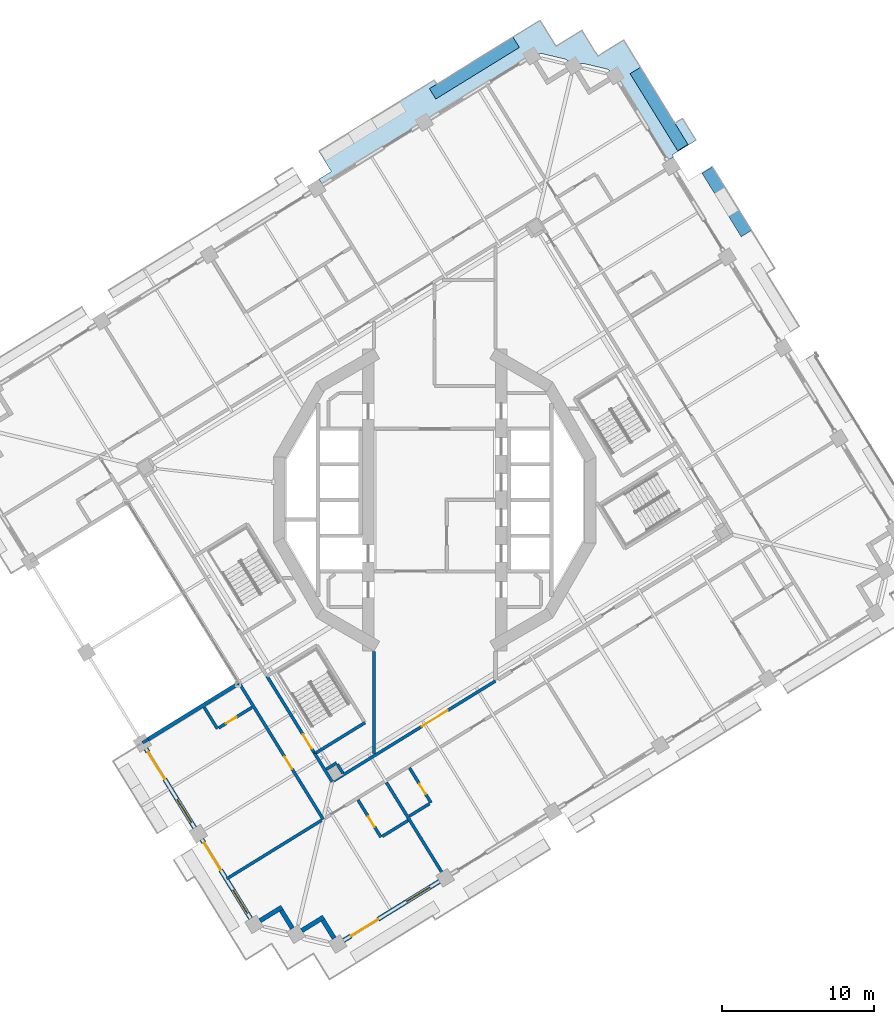
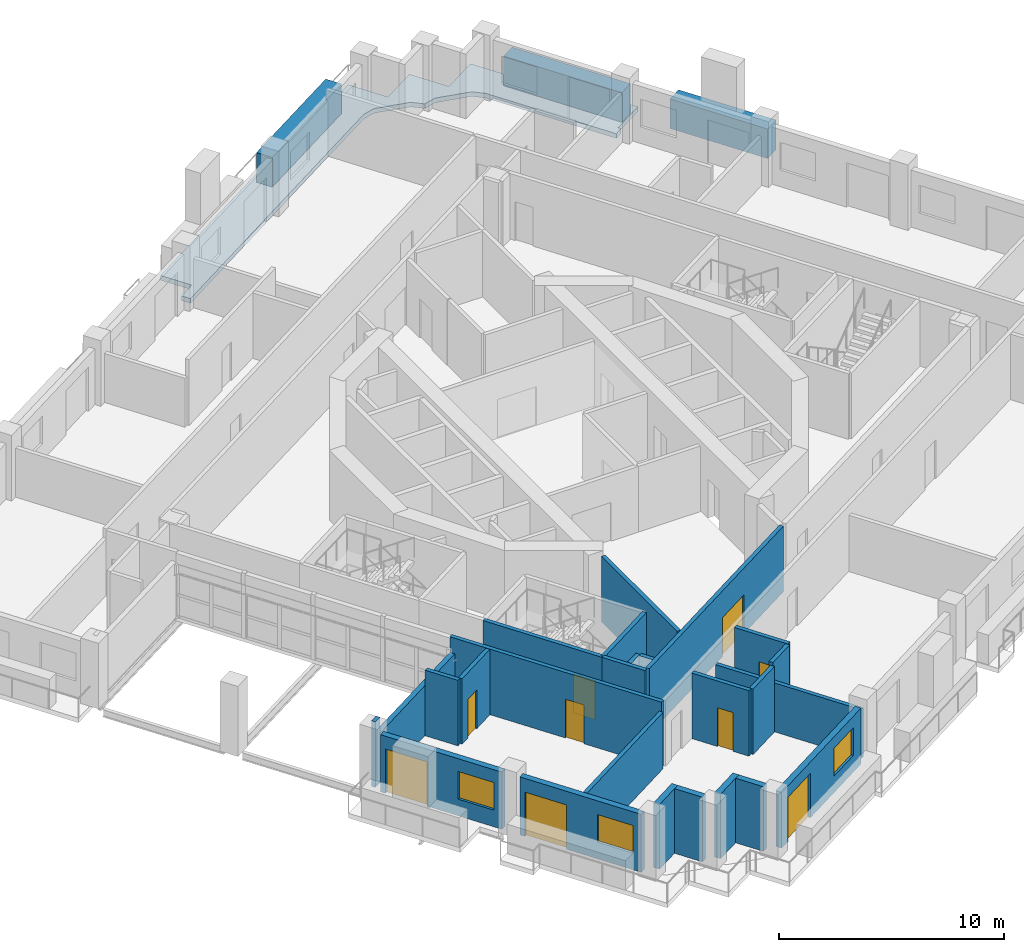
# One storey, part 5 of 20: 25 walls, 9 doors, 3 plates, 3 windows, 1 slab, 12 openings.
"""IFC4 building model written with IfcOpenShell, lengths in metres."""

from ifc_helpers import new_model, si_unit, direction, frame, frame_2d, origin, origin_2d, place, context, subcontext, project, spatial, polyline, rectangle, outline, extrude, material, layer, layer_set, type_object, element, fill, save


model = new_model("IFC4")

# Units and contexts
model_context = context("Model", 3, precision=1e-05, world=origin(), true_north=direction((0.0, 1.0)))
body_context = subcontext(model_context, "Body", "Model", "MODEL_VIEW")
ifc_project = project(units=[si_unit("LENGTHUNIT", "METRE"), si_unit("AREAUNIT", "SQUARE_METRE"), si_unit("VOLUMEUNIT", "CUBIC_METRE"), si_unit("PLANEANGLEUNIT", "RADIAN"), si_unit("MASSUNIT", "GRAM", prefix="KILO")], contexts=[model_context])

# Site, building, storey
site_placement = place(None, origin())
site = spatial("IfcSite", under=ifc_project, at=site_placement, CompositionType="ELEMENT")
building_placement = place(site_placement, origin())
building = spatial("IfcBuilding", under=site, at=building_placement, Name="Cantera Rosa Tower", CompositionType="ELEMENT")
storey_placement = place(building_placement, frame((0.0, 0.0, 155.199951171875)))
storey = spatial("IfcBuildingStorey", under=building, at=storey_placement, Name="L33", CompositionType="ELEMENT", Elevation=155.199951171875)

# Slab
ifc_material_1 = material(Name="Concrete C35/45", Category="concrete")
ifc_layer_1 = layer(ifc_material_1, 0.25)
ifc_layer_set_1 = layer_set([ifc_layer_1], Name="LOGGIA SLAB 250 C35/45")
slab_type = type_object("IfcSlabType", Name="LOGGIA SLAB 250 C35/45", PredefinedType="FLOOR", material=ifc_layer_set_1)
slab_placement = place(storey_placement, frame((0.0, 0.0, -0.25)))
element("IfcSlab", 1, at=slab_placement, inside=storey, type_object=slab_type, Name="LOGGIA SLAB L33 5", PredefinedType="FLOOR", context=body_context, shape_type="SweptSolid", body=[
    extrude(outline(polyline([(5.49755859375, 30.7080078125), (6.9443359375, 31.600341796875), (7.8369140625, 30.153564453125), (7.994384765625, 29.898193359375), (8.249755859375, 30.0556640625), (9.696533203125, 30.9482421875), (10.589111328125, 29.501220703125), (10.74658203125, 29.245849609375), (11.001953125, 29.4033203125), (12.44873046875, 30.2958984375), (13.34130859375, 28.84912109375), (15.823486328125, 24.82470703125), (16.3271484375, 25.135498046875), (17.21533203125, 23.695556640625), (15.647705078125, 22.728515625), (15.7265625, 22.600830078125), (15.343505859375, 22.36474609375), (11.894287109375, 27.95654296875), (11.4736328125, 28.328125), (11.45068359375, 28.346435546875), (11.426025390625, 28.362548828125), (11.39990234375, 28.376220703125), (11.37255859375, 28.386962890625), (11.34423828125, 28.395263671875), (9.83056640625, 28.75390625), (9.801513671875, 28.75927734375), (9.772216796875, 28.76171875), (9.742919921875, 28.761474609375), (9.713623046875, 28.75830078125), (9.684814453125, 28.752197265625), (9.14208984375, 28.60888671875), (8.721435546875, 28.98046875), (8.698486328125, 28.998779296875), (8.673828125, 29.014892578125), (8.647705078125, 29.0283203125), (8.620361328125, 29.039306640625), (8.592041015625, 29.047607421875), (7.078369140625, 29.40625), (7.049560546875, 29.41162109375), (7.02001953125, 29.4140625), (6.99072265625, 29.413818359375), (6.96142578125, 29.410400390625), (6.9326171875, 29.404296875), (6.389892578125, 29.260986328125), (-7.3896484375, 20.76171875), (-7.625732421875, 21.144775390625), (-6.8173828125, 21.643310546875), (-7.6416015625, 22.97998046875), (-0.032470703125, 27.67333984375), (0.1357421875, 27.40087890625), (5.49755859375, 30.7080078125)])), origin(), (0.0, 0.0, 1.0), 0.25),
])

# Plates
ifc_material_2 = material(Name="Cantera stone planter with soil", Category="masonry")
plate_type = type_object("IfcPlateType", Name="PLANTER 800", PredefinedType="USERDEFINED", material=ifc_material_2)
plate_1_placement = place(storey_placement, frame((19.24267578125, 19.64697265625, 0.0), z_axis=(0.0, 0.0, 1.0), x_axis=(-0.52497658034, 0.851116672434, 0.0)))
element("IfcPlate", 2, at=plate_1_placement, inside=storey, type_object=plate_type, Name="PLANTER L33-04", ObjectType="PLANTER", PredefinedType="USERDEFINED", context=body_context, shape_type="SweptSolid", body=[
    extrude(rectangle(XDim=4.919921875, YDim=0.800048828125, at=origin_2d()), origin(), (0.0, 0.0, 1.0), 1.60009765625),
])
plate_2_placement = place(storey_placement, frame((14.77783203125, 25.758056640625, 0.0), z_axis=(0.0, 0.0, 1.0), x_axis=(-0.52497658034, 0.851116672434, 0.0)))
element("IfcPlate", 3, at=plate_2_placement, inside=storey, type_object=plate_type, Name="PLANTER L33-05", ObjectType="PLANTER", PredefinedType="USERDEFINED", context=body_context, shape_type="SweptSolid", body=[
    extrude(rectangle(XDim=5.969970703125, YDim=0.800048828125, at=origin_2d()), origin(), (0.0, 0.0, 1.0), 1.60009765625),
])
plate_3_placement = place(storey_placement, frame((2.61376953125, 28.459228515625, 0.0), z_axis=(0.0, 0.0, 1.0), x_axis=(-0.851116672434, -0.52497658034, 0.0)))
element("IfcPlate", 4, at=plate_3_placement, inside=storey, type_object=plate_type, Name="PLANTER L33-06", ObjectType="PLANTER", PredefinedType="USERDEFINED", context=body_context, shape_type="SweptSolid", body=[
    extrude(rectangle(XDim=6.469970703125, YDim=0.800048828125, at=origin_2d()), origin(), (0.0, 0.0, 1.0), 1.60009765625),
])

# Wall, opening, door
ifc_material_3 = material(Name="Gypsum board partition")
ifc_layer_2 = layer(ifc_material_3, 0.199951171875)
ifc_layer_set_2 = layer_set([ifc_layer_2], Name="CORRIDOR WALL 200 H3550")
wall_type_1 = type_object("IfcWallType", Name="CORRIDOR WALL 200 H3550", PredefinedType="PARTITIONING", material=ifc_layer_set_2)
wall_1_placement = place(storey_placement, frame((-12.947265625, -11.963134765625, 0.0), z_axis=(0.0, 0.0, 1.0), x_axis=(0.524977152999, -0.851116319212, 0.0)))
wall_1 = element("IfcWall", 5, at=wall_1_placement, inside=storey, type_object=wall_type_1, Name="CORRIDOR WALL L33-008", PredefinedType="PARTITIONING", context=body_context, shape_type="SweptSolid", body=[
    extrude(rectangle(XDim=10.6650390625, YDim=0.199951171875, at=frame_2d((5.33251953125, 0.0))), origin(), (0.0, 0.0, 1.0), 3.550048828125),
])
opening_1_placement = place(wall_1_placement, frame((5.820068359375, 0.0, 0.0)))
opening_1 = element("IfcOpeningElement", 6, at=opening_1_placement, cuts=wall_1, Name="Opening L33-032", PredefinedType="OPENING", context=body_context, shape_type="SweptSolid", body=[
    extrude(rectangle(XDim=0.949951171875, YDim=2.10009765625, at=frame_2d((0.47509765625, 1.050048828125))), frame((0.0, 0.10986328125, 0.0), z_axis=(0.0, -1.0, 0.0), x_axis=(1.0, 0.0, 0.0)), (0.0, 0.0, 1.0), 0.219970703125),
])
ifc_material_4 = material(Name="Timber door leaf", Category="wood")
door_type_1 = type_object("IfcDoorType", Name="ROOM DOOR 950x2100", OperationType="NOTDEFINED", PredefinedType="DOOR", material=ifc_material_4)
door_1_placement = place(opening_1_placement, origin())
door_1 = element("IfcDoor", 7, at=door_1_placement, inside=storey, type_object=door_type_1, Name="DOOR L33-032", OperationType="NOTDEFINED", OverallHeight=2.10009765625, OverallWidth=0.949951171875, PredefinedType="DOOR", context=body_context, shape_type="SweptSolid", body=[
    extrude(rectangle(XDim=0.949951171875, YDim=2.10009765625, at=frame_2d((0.47509765625, 1.050048828125))), frame((0.0, 0.02490234375, 0.0), z_axis=(0.0, -1.0, 0.0), x_axis=(1.0, 0.0, 0.0)), (0.0, 0.0, 1.0), 0.050048828125),
])
fill(opening_1, door_1)

# Wall
wall_2_placement = place(storey_placement, frame((-7.9033203125, -16.7119140625, 0.0), z_axis=(0.0, 0.0, 1.0), x_axis=(0.525036414636, -0.851079763187, 0.0)))
element("IfcWall", 8, at=wall_2_placement, inside=storey, type_object=wall_type_1, Name="CORRIDOR WALL L33-028", PredefinedType="PARTITIONING", context=body_context, shape_type="SweptSolid", body=[
    extrude(rectangle(XDim=2.17529296875, YDim=0.199951171875, at=frame_2d((1.087646484375, 0.0))), origin(), (0.0, 0.0, 1.0), 3.550048828125),
])

# Wall, opening, door
wall_3_placement = place(storey_placement, frame((-6.6591796875, -18.500244140625, 0.0), z_axis=(0.0, 0.0, 1.0), x_axis=(0.851115705413, 0.524978148116, 0.0)))
wall_3 = element("IfcWall", 9, at=wall_3_placement, inside=storey, type_object=wall_type_1, Name="CORRIDOR WALL L33-041", PredefinedType="PARTITIONING", context=body_context, shape_type="SweptSolid", body=[
    extrude(rectangle(XDim=12.523681640625, YDim=0.199951171875, at=frame_2d((6.26171875, 0.0))), origin(), (0.0, 0.0, 1.0), 3.550048828125),
])
opening_2_placement = place(wall_3_placement, frame((6.82421875, 0.0, 0.0)))
opening_2 = element("IfcOpeningElement", 10, at=opening_2_placement, cuts=wall_3, Name="Opening L33-011", PredefinedType="OPENING", context=body_context, shape_type="SweptSolid", body=[
    extrude(rectangle(XDim=2.0, YDim=2.10009765625, at=frame_2d((1.0, 1.050048828125))), frame((0.0, 0.10986328125, 0.0), z_axis=(0.0, -1.0, 0.0), x_axis=(1.0, 0.0, 0.0)), (0.0, 0.0, 1.0), 0.219970703125),
])
ifc_material_5 = material(Name="Steel S355J2 (EN 10025-2)", Category="steel")
door_type_2 = type_object("IfcDoorType", Name="LOBBY SCREEN DOOR 2000x2100", OperationType="NOTDEFINED", PredefinedType="DOOR", material=ifc_material_5)
door_2_placement = place(opening_2_placement, origin())
door_2 = element("IfcDoor", 11, at=door_2_placement, inside=storey, type_object=door_type_2, Name="DOOR L33-011", OperationType="NOTDEFINED", OverallHeight=2.10009765625, OverallWidth=2.0, PredefinedType="DOOR", context=body_context, shape_type="SweptSolid", body=[
    extrude(rectangle(XDim=2.0, YDim=2.10009765625, at=frame_2d((1.0, 1.050048828125))), frame((0.0, 0.02490234375, 0.0), z_axis=(0.0, -1.0, 0.0), x_axis=(1.0, 0.0, 0.0)), (0.0, 0.0, 1.0), 0.050048828125),
])
fill(opening_2, door_2)

# Walls
wall_4_placement = place(storey_placement, frame((-4.0, -9.994140625, 0.0), z_axis=(0.0, 0.0, 1.0), x_axis=(0.0, -1.0, 0.0)))
element("IfcWall", 12, at=wall_4_placement, inside=storey, type_object=wall_type_1, Name="CORRIDOR WALL L33-052", PredefinedType="PARTITIONING", context=body_context, shape_type="SweptSolid", body=[
    extrude(rectangle(XDim=6.7060546875, YDim=0.199951171875, at=frame_2d((3.35302734375, 0.0))), origin(), (0.0, 0.0, 1.0), 3.550048828125),
])
ifc_material_6 = material(Name="Hollow clay masonry with cantera stone cladding", Category="masonry")
ifc_layer_3 = layer(ifc_material_6, 0.300048828125)
ifc_layer_set_3 = layer_set([ifc_layer_3], Name="EW-LOGGIA 300")
wall_type_2 = type_object("IfcWallType", Name="EW-LOGGIA 300", PredefinedType="SOLIDWALL", material=ifc_layer_set_3)
wall_5_placement = place(storey_placement, frame((-11.51123046875, -27.72021484375, 0.0), z_axis=(0.0, 0.0, 1.0), x_axis=(0.851130227454, 0.524954603669, 0.0)))
element("IfcWall", 13, at=wall_5_placement, inside=storey, type_object=wall_type_2, Name="EN-L33-W20a", PredefinedType="SOLIDWALL", context=body_context, shape_type="SweptSolid", body=[
    extrude(rectangle(XDim=1.699951171875, YDim=0.300048828125, at=frame_2d((0.85009765625, 0.0))), origin(), (0.0, 0.0, 1.0), 3.5),
])
wall_6_placement = place(storey_placement, frame((-10.11328125, -27.0341796875, 0.0), z_axis=(0.0, 0.0, 1.0), x_axis=(0.524895019961, -0.85116697423, 0.0)))
element("IfcWall", 14, at=wall_6_placement, inside=storey, type_object=wall_type_2, Name="EN-L33-W20b", PredefinedType="SOLIDWALL", context=body_context, shape_type="SweptSolid", body=[
    extrude(rectangle(XDim=1.39990234375, YDim=0.300048828125, at=frame_2d((0.699951171875, 0.0))), origin(), (0.0, 0.0, 1.0), 3.5),
])
wall_7_placement = place(storey_placement, frame((-8.75927734375, -28.37255859375, 0.0), z_axis=(0.0, 0.0, 1.0), x_axis=(0.851105638601, 0.524994468487, 0.0)))
element("IfcWall", 15, at=wall_7_placement, inside=storey, type_object=wall_type_2, Name="EN-L33-W21a", PredefinedType="SOLIDWALL", context=body_context, shape_type="SweptSolid", body=[
    extrude(rectangle(XDim=1.7001953125, YDim=0.300048828125, at=frame_2d((0.85009765625, 0.0))), origin(), (0.0, 0.0, 1.0), 3.5),
])
wall_8_placement = place(storey_placement, frame((-7.361083984375, -27.6865234375, 0.0), z_axis=(0.0, 0.0, 1.0), x_axis=(0.524895019961, -0.85116697423, 0.0)))
element("IfcWall", 16, at=wall_8_placement, inside=storey, type_object=wall_type_2, Name="EN-L33-W21b", PredefinedType="SOLIDWALL", context=body_context, shape_type="SweptSolid", body=[
    extrude(rectangle(XDim=1.39990234375, YDim=0.300048828125, at=frame_2d((0.699951171875, 0.0))), origin(), (0.0, 0.0, 1.0), 3.5),
])

# Wall, openings, window, door
ifc_material_7 = material(Name="Hollow clay masonry with cantera stone cladding", Category="masonry")
ifc_layer_4 = layer(ifc_material_7, 0.300048828125)
ifc_layer_set_4 = layer_set([ifc_layer_4], Name="EW-LOGGIA 300 H3020")
wall_type_3 = type_object("IfcWallType", Name="EW-LOGGIA 300 H3020", PredefinedType="SOLIDWALL", material=ifc_layer_set_4)
wall_9_placement = place(storey_placement, frame((-6.007080078125, -29.02490234375, 0.0), z_axis=(0.0, 0.0, 1.0), x_axis=(0.851111085575, 0.524985637909, 0.0)))
wall_9 = element("IfcWall", 17, at=wall_9_placement, inside=storey, type_object=wall_type_3, Name="EN-L33-W22", PredefinedType="SOLIDWALL", context=body_context, shape_type="SweptSolid", body=[
    extrude(rectangle(XDim=7.420166015625, YDim=0.300048828125, at=frame_2d((3.7099609375, 0.0))), origin(), (0.0, 0.0, 1.0), 3.02001953125),
])
opening_3_placement = place(wall_9_placement, frame((0.580078125, 0.0, 0.0)))
opening_3 = element("IfcOpeningElement", 18, at=opening_3_placement, cuts=wall_9, Name="Opening L33-TD27", PredefinedType="OPENING", context=body_context, shape_type="SweptSolid", body=[
    extrude(rectangle(XDim=2.10009765625, YDim=2.39990234375, at=frame_2d((1.050048828125, 1.199951171875))), frame((0.0, 0.159912109375, 0.0), z_axis=(0.0, -1.0, 0.0), x_axis=(1.0, 0.0, 0.0)), (0.0, 0.0, 1.0), 0.320068359375),
])
opening_4_placement = place(wall_9_placement, frame((4.889892578125, 0.0, 0.89990234375)))
opening_4 = element("IfcOpeningElement", 19, at=opening_4_placement, cuts=wall_9, Name="Opening L33-W28", PredefinedType="OPENING", context=body_context, shape_type="SweptSolid", body=[
    extrude(rectangle(XDim=1.800048828125, YDim=1.5, at=frame_2d((0.89990234375, 0.75))), frame((0.0, 0.159912109375, 0.0), z_axis=(0.0, -1.0, 0.0), x_axis=(1.0, 0.0, 0.0)), (0.0, 0.0, 1.0), 0.320068359375),
])
ifc_material_8 = material(Name="Aluminium frame with clear glass", Category="aluminium")
window_type = type_object("IfcWindowType", Name="Hotel room window 1800x1500", PartitioningType="DOUBLE_PANEL_VERTICAL", PredefinedType="WINDOW", material=ifc_material_8)
window_1_placement = place(opening_4_placement, origin())
window_1 = element("IfcWindow", 20, at=window_1_placement, inside=storey, type_object=window_type, Name="WINDOW L33-W28", OverallHeight=1.5, OverallWidth=1.800048828125, PartitioningType="SINGLE_PANEL", PredefinedType="WINDOW", context=body_context, shape_type="SweptSolid", body=[
    extrude(rectangle(XDim=1.800048828125, YDim=1.5, at=frame_2d((0.89990234375, 0.75))), frame((0.0, 0.030029296875, 0.0), z_axis=(0.0, -1.0, 0.0), x_axis=(1.0, 0.0, 0.0)), (0.0, 0.0, 1.0), 0.06005859375),
])
fill(opening_4, window_1)
ifc_material_9 = material(Name="Aluminium frame with clear glass", Category="aluminium")
door_type_3 = type_object("IfcDoorType", Name="TD-H 2100x2400", OperationType="NOTDEFINED", PredefinedType="DOOR", material=ifc_material_9)
door_3_placement = place(opening_3_placement, origin())
door_3 = element("IfcDoor", 21, at=door_3_placement, inside=storey, type_object=door_type_3, Name="LOGGIA DOOR L33-TD27", OperationType="SLIDING_TO_LEFT", OverallHeight=2.39990234375, OverallWidth=2.10009765625, PredefinedType="DOOR", context=body_context, shape_type="SweptSolid", body=[
    extrude(rectangle(XDim=2.10009765625, YDim=2.39990234375, at=frame_2d((1.050048828125, 1.199951171875))), frame((0.0, 0.02490234375, 0.0), z_axis=(0.0, -1.0, 0.0), x_axis=(1.0, 0.0, 0.0)), (0.0, 0.0, 1.0), 0.050048828125),
])
fill(opening_3, door_3)

ifc_material_10 = material(Name="Hollow clay masonry with cantera stone cladding", Category="masonry")
ifc_layer_5 = layer(ifc_material_10, 0.300048828125)
ifc_layer_set_5 = layer_set([ifc_layer_5], Name="EW-LOGGIA 300 H3090")
wall_type_4 = type_object("IfcWallType", Name="EW-LOGGIA 300 H3090", PredefinedType="SOLIDWALL", material=ifc_layer_set_5)
wall_10_placement = place(storey_placement, frame((-19.02880859375, -16.389892578125, 0.0), z_axis=(0.0, 0.0, 1.0), x_axis=(0.524987447654, -0.851109969279, 0.0)))
wall_10 = element("IfcWall", 22, at=wall_10_placement, inside=storey, type_object=wall_type_4, Name="EN-L33-W18", PredefinedType="SOLIDWALL", context=body_context, shape_type="SweptSolid", body=[
    extrude(rectangle(XDim=6.119873046875, YDim=0.300048828125, at=frame_2d((3.06005859375, 0.0))), origin(), (0.0, 0.0, 1.0), 3.090087890625),
])
opening_5_placement = place(wall_10_placement, frame((0.2548828125, 0.0, 0.0)))
opening_5 = element("IfcOpeningElement", 23, at=opening_5_placement, cuts=wall_10, Name="Opening L33-TD23", PredefinedType="OPENING", context=body_context, shape_type="SweptSolid", body=[
    extrude(rectangle(XDim=2.10009765625, YDim=2.39990234375, at=frame_2d((1.050048828125, 1.199951171875))), frame((0.0, 0.159912109375, 0.0), z_axis=(0.0, -1.0, 0.0), x_axis=(1.0, 0.0, 0.0)), (0.0, 0.0, 1.0), 0.320068359375),
])
opening_6_placement = place(wall_10_placement, frame((3.9150390625, 0.0, 0.89990234375)))
opening_6 = element("IfcOpeningElement", 24, at=opening_6_placement, cuts=wall_10, Name="Opening L33-W24", PredefinedType="OPENING", context=body_context, shape_type="SweptSolid", body=[
    extrude(rectangle(XDim=1.800048828125, YDim=1.5, at=frame_2d((0.89990234375, 0.75))), frame((0.0, 0.159912109375, 0.0), z_axis=(0.0, -1.0, 0.0), x_axis=(1.0, 0.0, 0.0)), (0.0, 0.0, 1.0), 0.320068359375),
])
window_2_placement = place(opening_6_placement, origin())
window_2 = element("IfcWindow", 25, at=window_2_placement, inside=storey, type_object=window_type, Name="WINDOW L33-W24", OverallHeight=1.5, OverallWidth=1.800048828125, PartitioningType="SINGLE_PANEL", PredefinedType="WINDOW", context=body_context, shape_type="SweptSolid", body=[
    extrude(rectangle(XDim=1.800048828125, YDim=1.5, at=frame_2d((0.89990234375, 0.75))), frame((0.0, 0.030029296875, 0.0), z_axis=(0.0, -1.0, 0.0), x_axis=(1.0, 0.0, 0.0)), (0.0, 0.0, 1.0), 0.06005859375),
])
fill(opening_6, window_2)
door_4_placement = place(opening_5_placement, origin())
door_4 = element("IfcDoor", 26, at=door_4_placement, inside=storey, type_object=door_type_3, Name="LOGGIA DOOR L33-TD23", OperationType="SLIDING_TO_LEFT", OverallHeight=2.39990234375, OverallWidth=2.10009765625, PredefinedType="DOOR", context=body_context, shape_type="SweptSolid", body=[
    extrude(rectangle(XDim=2.10009765625, YDim=2.39990234375, at=frame_2d((1.050048828125, 1.199951171875))), frame((0.0, 0.02490234375, 0.0), z_axis=(0.0, -1.0, 0.0), x_axis=(1.0, 0.0, 0.0)), (0.0, 0.0, 1.0), 0.050048828125),
])
fill(opening_5, door_4)

ifc_material_11 = material(Name="Hollow clay masonry with cantera stone cladding", Category="masonry")
ifc_layer_6 = layer(ifc_material_11, 0.300048828125)
ifc_layer_set_6 = layer_set([ifc_layer_6], Name="EW-LOGGIA 300 H3140")
wall_type_5 = type_object("IfcWallType", Name="EW-LOGGIA 300 H3140", PredefinedType="SOLIDWALL", material=ifc_layer_set_6)
wall_11_placement = place(storey_placement, frame((-15.343505859375, -22.36474609375, 0.0), z_axis=(0.0, 0.0, 1.0), x_axis=(0.524987447654, -0.851109969279, 0.0)))
wall_11 = element("IfcWall", 27, at=wall_11_placement, inside=storey, type_object=wall_type_5, Name="EN-L33-W19", PredefinedType="SOLIDWALL", context=body_context, shape_type="SweptSolid", body=[
    extrude(rectangle(XDim=6.119873046875, YDim=0.300048828125, at=frame_2d((3.06005859375, 0.0))), origin(), (0.0, 0.0, 1.0), 3.14013671875),
])
opening_7_placement = place(wall_11_placement, frame((0.2548828125, 0.0, 0.0)))
opening_7 = element("IfcOpeningElement", 28, at=opening_7_placement, cuts=wall_11, Name="Opening L33-TD25", PredefinedType="OPENING", context=body_context, shape_type="SweptSolid", body=[
    extrude(rectangle(XDim=2.10009765625, YDim=2.39990234375, at=frame_2d((1.050048828125, 1.199951171875))), frame((0.0, 0.159912109375, 0.0), z_axis=(0.0, -1.0, 0.0), x_axis=(1.0, 0.0, 0.0)), (0.0, 0.0, 1.0), 0.320068359375),
])
opening_8_placement = place(wall_11_placement, frame((3.9150390625, 0.0, 0.89990234375)))
opening_8 = element("IfcOpeningElement", 29, at=opening_8_placement, cuts=wall_11, Name="Opening L33-W26", PredefinedType="OPENING", context=body_context, shape_type="SweptSolid", body=[
    extrude(rectangle(XDim=1.800048828125, YDim=1.5, at=frame_2d((0.89990234375, 0.75))), frame((0.0, 0.159912109375, 0.0), z_axis=(0.0, -1.0, 0.0), x_axis=(1.0, 0.0, 0.0)), (0.0, 0.0, 1.0), 0.320068359375),
])
window_3_placement = place(opening_8_placement, origin())
window_3 = element("IfcWindow", 30, at=window_3_placement, inside=storey, type_object=window_type, Name="WINDOW L33-W26", OverallHeight=1.5, OverallWidth=1.800048828125, PartitioningType="SINGLE_PANEL", PredefinedType="WINDOW", context=body_context, shape_type="SweptSolid", body=[
    extrude(rectangle(XDim=1.800048828125, YDim=1.5, at=frame_2d((0.89990234375, 0.75))), frame((0.0, 0.030029296875, 0.0), z_axis=(0.0, -1.0, 0.0), x_axis=(1.0, 0.0, 0.0)), (0.0, 0.0, 1.0), 0.06005859375),
])
fill(opening_8, window_3)
door_5_placement = place(opening_7_placement, origin())
door_5 = element("IfcDoor", 31, at=door_5_placement, inside=storey, type_object=door_type_3, Name="LOGGIA DOOR L33-TD25", OperationType="SLIDING_TO_LEFT", OverallHeight=2.39990234375, OverallWidth=2.10009765625, PredefinedType="DOOR", context=body_context, shape_type="SweptSolid", body=[
    extrude(rectangle(XDim=2.10009765625, YDim=2.39990234375, at=frame_2d((1.050048828125, 1.199951171875))), frame((0.0, 0.02490234375, 0.0), z_axis=(0.0, -1.0, 0.0), x_axis=(1.0, 0.0, 0.0)), (0.0, 0.0, 1.0), 0.050048828125),
])
fill(opening_7, door_5)

# Walls
ifc_material_12 = material(Name="Concrete C40/50", Category="concrete")
ifc_layer_7 = layer(ifc_material_12, 0.25)
ifc_layer_set_7 = layer_set([ifc_layer_7], Name="EW-POCKET CHEEK 250 H2710")
wall_type_6 = type_object("IfcWallType", Name="EW-POCKET CHEEK 250 H2710", PredefinedType="SOLIDWALL", material=ifc_layer_set_7)
wall_12_placement = place(storey_placement, frame((-18.882080078125, -15.7705078125, 0.0), z_axis=(0.0, 0.0, 1.0), x_axis=(0.851127184208, 0.524959537777, 0.0)))
element("IfcWall", 32, at=wall_12_placement, inside=storey, type_object=wall_type_6, Name="POCKET CHEEK B L33", PredefinedType="SOLIDWALL", context=body_context, shape_type="SweptSolid", body=[
    extrude(rectangle(XDim=6.949951171875, YDim=0.25, at=frame_2d((3.47509765625, 0.0))), origin(), (0.0, 0.0, 1.0), 2.7099609375),
])
ifc_material_13 = material(Name="Gypsum board partition")
ifc_layer_8 = layer(ifc_material_13, 0.199951171875)
ifc_layer_set_8 = layer_set([ifc_layer_8], Name="PARTITION 200 H3550")
wall_type_7 = type_object("IfcWallType", Name="PARTITION 200 H3550", PredefinedType="PARTITIONING", material=ifc_layer_set_8)
wall_13_placement = place(storey_placement, frame((-19.239501953125, -15.9912109375, 0.0), z_axis=(0.0, 0.0, 1.0), x_axis=(0.85085913097, 0.525393889615, 0.0)))
element("IfcWall", 33, at=wall_13_placement, inside=storey, type_object=wall_type_7, Name="PARTITION L33-012", PredefinedType="PARTITIONING", context=body_context, shape_type="SweptSolid", body=[
    extrude(rectangle(XDim=0.420166015625, YDim=0.199951171875, at=frame_2d((0.2099609375, 0.0))), origin(), (0.0, 0.0, 1.0), 3.550048828125),
])
wall_14_placement = place(storey_placement, frame((-14.31982421875, -15.071533203125, 0.0), z_axis=(0.0, 0.0, 1.0), x_axis=(-0.524915259782, 0.851154492468, 0.0)))
element("IfcWall", 34, at=wall_14_placement, inside=storey, type_object=wall_type_7, Name="PARTITION L33-017", PredefinedType="PARTITIONING", context=body_context, shape_type="SweptSolid", body=[
    extrude(rectangle(XDim=1.6650390625, YDim=0.199951171875, at=frame_2d((0.83251953125, 0.0))), origin(), (0.0, 0.0, 1.0), 3.550048828125),
])

# Wall, opening, door
wall_15_placement = place(storey_placement, frame((-12.038818359375, -13.66455078125, 0.0), z_axis=(0.0, 0.0, 1.0), x_axis=(-0.851098989685, -0.525005247362, 0.0)))
wall_15 = element("IfcWall", 35, at=wall_15_placement, inside=storey, type_object=wall_type_7, Name="PARTITION L33-023", PredefinedType="PARTITIONING", context=body_context, shape_type="SweptSolid", body=[
    extrude(rectangle(XDim=2.580078125, YDim=0.199951171875, at=frame_2d((1.2900390625, 0.0))), origin(), (0.0, 0.0, 1.0), 3.550048828125),
])
opening_9_placement = place(wall_15_placement, frame((1.216064453125, 0.0, 0.0)))
opening_9 = element("IfcOpeningElement", 36, at=opening_9_placement, cuts=wall_15, Name="Opening L33-033", PredefinedType="OPENING", context=body_context, shape_type="SweptSolid", body=[
    extrude(rectangle(XDim=0.800048828125, YDim=2.10009765625, at=frame_2d((0.39990234375, 1.050048828125))), frame((0.0, 0.10986328125, 0.0), z_axis=(0.0, -1.0, 0.0), x_axis=(1.0, 0.0, 0.0)), (0.0, 0.0, 1.0), 0.219970703125),
])
ifc_material_14 = material(Name="Timber door leaf", Category="wood")
door_type_4 = type_object("IfcDoorType", Name="BATHROOM DOOR 800x2100", OperationType="NOTDEFINED", PredefinedType="DOOR", material=ifc_material_14)
door_6_placement = place(opening_9_placement, origin())
door_6 = element("IfcDoor", 37, at=door_6_placement, inside=storey, type_object=door_type_4, Name="DOOR L33-033", OperationType="NOTDEFINED", OverallHeight=2.10009765625, OverallWidth=0.800048828125, PredefinedType="DOOR", context=body_context, shape_type="SweptSolid", body=[
    extrude(rectangle(XDim=0.800048828125, YDim=2.10009765625, at=frame_2d((0.39990234375, 1.050048828125))), frame((0.0, 0.02490234375, 0.0), z_axis=(0.0, -1.0, 0.0), x_axis=(1.0, 0.0, 0.0)), (0.0, 0.0, 1.0), 0.050048828125),
])
fill(opening_9, door_6)

# Walls
wall_16_placement = place(storey_placement, frame((-6.4677734375, -17.32470703125, 0.0), z_axis=(0.0, 0.0, 1.0), x_axis=(-0.85101860469, -0.525135539144, 0.0)))
element("IfcWall", 38, at=wall_16_placement, inside=storey, type_object=wall_type_7, Name="PARTITION L33-042", PredefinedType="PARTITIONING", context=body_context, shape_type="SweptSolid", body=[
    extrude(rectangle(XDim=0.800048828125, YDim=0.199951171875, at=frame_2d((0.39990234375, 0.0))), origin(), (0.0, 0.0, 1.0), 3.550048828125),
])
wall_17_placement = place(storey_placement, frame((-6.0478515625, -18.005615234375, 0.0), z_axis=(0.0, 0.0, 1.0), x_axis=(-0.525018782991, 0.851090640006, 0.0)))
element("IfcWall", 39, at=wall_17_placement, inside=storey, type_object=wall_type_7, Name="PARTITION L33-044", PredefinedType="PARTITIONING", context=body_context, shape_type="SweptSolid", body=[
    extrude(rectangle(XDim=0.679931640625, YDim=0.199951171875, at=frame_2d((0.33984375, 0.0))), origin(), (0.0, 0.0, 1.0), 3.550048828125),
])

# Wall, opening, door
wall_18_placement = place(storey_placement, frame((-3.54345703125, -22.21826171875, 0.0), z_axis=(0.0, 0.0, 1.0), x_axis=(-0.524991059862, 0.851107741162, 0.0)))
wall_18 = element("IfcWall", 40, at=wall_18_placement, inside=storey, type_object=wall_type_7, Name="PARTITION L33-056", PredefinedType="PARTITIONING", context=body_context, shape_type="SweptSolid", body=[
    extrude(rectangle(XDim=2.8798828125, YDim=0.199951171875, at=frame_2d((1.43994140625, 0.0))), origin(), (0.0, 0.0, 1.0), 3.550048828125),
])
opening_10_placement = place(wall_18_placement, frame((0.800048828125, 0.0, 0.0)))
opening_10 = element("IfcOpeningElement", 41, at=opening_10_placement, cuts=wall_18, Name="Opening L33-040", PredefinedType="OPENING", context=body_context, shape_type="SweptSolid", body=[
    extrude(rectangle(XDim=0.800048828125, YDim=2.10009765625, at=frame_2d((0.39990234375, 1.050048828125))), frame((0.0, 0.10986328125, 0.0), z_axis=(0.0, -1.0, 0.0), x_axis=(1.0, 0.0, 0.0)), (0.0, 0.0, 1.0), 0.219970703125),
])
door_7_placement = place(opening_10_placement, origin())
door_7 = element("IfcDoor", 42, at=door_7_placement, inside=storey, type_object=door_type_4, Name="DOOR L33-040", OperationType="NOTDEFINED", OverallHeight=2.10009765625, OverallWidth=0.800048828125, PredefinedType="DOOR", context=body_context, shape_type="SweptSolid", body=[
    extrude(rectangle(XDim=0.800048828125, YDim=2.10009765625, at=frame_2d((0.39990234375, 1.050048828125))), frame((0.0, 0.02490234375, 0.0), z_axis=(0.0, -1.0, 0.0), x_axis=(1.0, 0.0, 0.0)), (0.0, 0.0, 1.0), 0.050048828125),
])
fill(opening_10, door_7)

wall_19_placement = place(storey_placement, frame((-1.66162109375, -17.650146484375, 0.0), z_axis=(0.0, 0.0, 1.0), x_axis=(0.525015355941, -0.851092754068, 0.0)))
wall_19 = element("IfcWall", 43, at=wall_19_placement, inside=storey, type_object=wall_type_7, Name="PARTITION L33-057", PredefinedType="PARTITIONING", context=body_context, shape_type="SweptSolid", body=[
    extrude(rectangle(XDim=2.699951171875, YDim=0.199951171875, at=frame_2d((1.35009765625, 0.0))), origin(), (0.0, 0.0, 1.0), 3.550048828125),
])
opening_11_placement = place(wall_19_placement, frame((1.236083984375, 0.0, 0.0)))
opening_11 = element("IfcOpeningElement", 44, at=opening_11_placement, cuts=wall_19, Name="Opening L33-038", PredefinedType="OPENING", context=body_context, shape_type="SweptSolid", body=[
    extrude(rectangle(XDim=0.800048828125, YDim=2.10009765625, at=frame_2d((0.39990234375, 1.050048828125))), frame((0.0, 0.10986328125, 0.0), z_axis=(0.0, -1.0, 0.0), x_axis=(1.0, 0.0, 0.0)), (0.0, 0.0, 1.0), 0.219970703125),
])
door_8_placement = place(opening_11_placement, origin())
door_8 = element("IfcDoor", 45, at=door_8_placement, inside=storey, type_object=door_type_4, Name="DOOR L33-038", OperationType="NOTDEFINED", OverallHeight=2.10009765625, OverallWidth=0.800048828125, PredefinedType="DOOR", context=body_context, shape_type="SweptSolid", body=[
    extrude(rectangle(XDim=0.800048828125, YDim=2.10009765625, at=frame_2d((0.39990234375, 1.050048828125))), frame((0.0, 0.02490234375, 0.0), z_axis=(0.0, -1.0, 0.0), x_axis=(1.0, 0.0, 0.0)), (0.0, 0.0, 1.0), 0.050048828125),
])
fill(opening_11, door_8)

# Walls
wall_20_placement = place(storey_placement, frame((-1.756103515625, -21.11572265625, 0.0), z_axis=(0.0, 0.0, 1.0), x_axis=(-0.851117241868, -0.524975657145, 0.0)))
element("IfcWall", 46, at=wall_20_placement, inside=storey, type_object=wall_type_7, Name="PARTITION L33-058", PredefinedType="PARTITIONING", context=body_context, shape_type="SweptSolid", body=[
    extrude(rectangle(XDim=2.000244140625, YDim=0.199951171875, at=frame_2d((1.0, 0.0))), origin(), (0.0, 0.0, 1.0), 3.550048828125),
])
wall_21_placement = place(storey_placement, frame((-0.34619140625, -20.010986328125, 0.0), z_axis=(0.0, 0.0, 1.0), x_axis=(-0.851061308795, -0.525066327879, 0.0)))
element("IfcWall", 47, at=wall_21_placement, inside=storey, type_object=wall_type_7, Name="PARTITION L33-059", PredefinedType="PARTITIONING", context=body_context, shape_type="SweptSolid", body=[
    extrude(rectangle(XDim=1.56005859375, YDim=0.199951171875, at=frame_2d((0.780029296875, 0.0))), origin(), (0.0, 0.0, 1.0), 3.550048828125),
])
ifc_material_15 = material(Name="Gypsum board partition")
ifc_layer_9 = layer(ifc_material_15, 0.199951171875)
ifc_layer_set_9 = layer_set([ifc_layer_9], Name="PARTY WALL 200 H2650")
wall_type_8 = type_object("IfcWallType", Name="PARTY WALL 200 H2650", PredefinedType="PARTITIONING", material=ifc_layer_set_9)
wall_22_placement = place(storey_placement, frame((0.675537109375, -24.86767578125, 0.0), z_axis=(0.0, 0.0, 1.0), x_axis=(-0.52498856982, 0.851109277096, 0.0)))
element("IfcWall", 48, at=wall_22_placement, inside=storey, type_object=wall_type_8, Name="PARTY WALL L33-063", PredefinedType="PARTITIONING", context=body_context, shape_type="SweptSolid", body=[
    extrude(rectangle(XDim=7.349853515625, YDim=0.199951171875, at=frame_2d((3.6748046875, 0.0))), origin(), (0.0, 0.0, 1.0), 2.650146484375),
])
ifc_material_16 = material(Name="Gypsum board partition")
ifc_layer_10 = layer(ifc_material_16, 0.199951171875)
ifc_layer_set_10 = layer_set([ifc_layer_10], Name="PARTY WALL 200 H3050")
wall_type_9 = type_object("IfcWallType", Name="PARTY WALL 200 H3050", PredefinedType="PARTITIONING", material=ifc_layer_set_10)
wall_23_placement = place(storey_placement, frame((-13.706298828125, -24.9619140625, 0.0), z_axis=(0.0, 0.0, 1.0), x_axis=(0.851118431638, 0.524973728225, 0.0)))
element("IfcWall", 49, at=wall_23_placement, inside=storey, type_object=wall_type_9, Name="PARTY WALL L33-018", PredefinedType="PARTITIONING", context=body_context, shape_type="SweptSolid", body=[
    extrude(rectangle(XDim=7.35009765625, YDim=0.199951171875, at=frame_2d((3.675048828125, 0.0))), origin(), (0.0, 0.0, 1.0), 3.050048828125),
])

# Wall, opening, door
ifc_material_17 = material(Name="Concrete C50/60", Category="concrete")
ifc_layer_11 = layer(ifc_material_17, 0.199951171875)
ifc_layer_set_11 = layer_set([ifc_layer_11], Name="STAIR WALL 200 H3550")
wall_type_10 = type_object("IfcWallType", Name="STAIR WALL 200 H3550", PredefinedType="SOLIDWALL", material=ifc_layer_set_11)
wall_24_placement = place(storey_placement, frame((-11.05322265625, -11.605224609375, 0.0), z_axis=(0.0, 0.0, 1.0), x_axis=(0.524982543144, -0.851112994493, 0.0)))
wall_24 = element("IfcWall", 50, at=wall_24_placement, inside=storey, type_object=wall_type_10, Name="STAIR WALL L33-024", PredefinedType="SOLIDWALL", context=body_context, shape_type="SweptSolid", body=[
    extrude(rectangle(XDim=6.0, YDim=0.199951171875, at=frame_2d((3.0, 0.0))), origin(), (0.0, 0.0, 1.0), 3.550048828125),
])
opening_12_placement = place(wall_24_placement, frame((4.52490234375, 0.0, 0.0)))
opening_12 = element("IfcOpeningElement", 51, at=opening_12_placement, cuts=wall_24, Name="Opening L33-003", PredefinedType="OPENING", context=body_context, shape_type="SweptSolid", body=[
    extrude(rectangle(XDim=1.10009765625, YDim=2.10009765625, at=frame_2d((0.550048828125, 1.050048828125))), frame((0.0, 0.10986328125, 0.0), z_axis=(0.0, -1.0, 0.0), x_axis=(1.0, 0.0, 0.0)), (0.0, 0.0, 1.0), 0.219970703125),
])
ifc_material_18 = material(Name="Steel S355J2 (EN 10025-2)", Category="steel")
door_type_5 = type_object("IfcDoorType", Name="STAIR DOOR 1100x2100", OperationType="NOTDEFINED", PredefinedType="DOOR", material=ifc_material_18)
door_9_placement = place(opening_12_placement, origin())
door_9 = element("IfcDoor", 52, at=door_9_placement, inside=storey, type_object=door_type_5, Name="DOOR L33-003", OperationType="NOTDEFINED", OverallHeight=2.10009765625, OverallWidth=1.10009765625, PredefinedType="DOOR", context=body_context, shape_type="SweptSolid", body=[
    extrude(rectangle(XDim=1.10009765625, YDim=2.10009765625, at=frame_2d((0.550048828125, 1.050048828125))), frame((0.0, 0.02490234375, 0.0), z_axis=(0.0, -1.0, 0.0), x_axis=(1.0, 0.0, 0.0)), (0.0, 0.0, 1.0), 0.050048828125),
])
fill(opening_12, door_9)

# Wall
wall_25_placement = place(storey_placement, frame((-7.9033203125, -16.7119140625, 0.0), z_axis=(0.0, 0.0, 1.0), x_axis=(0.851124503894, 0.524963883397, 0.0)))
element("IfcWall", 53, at=wall_25_placement, inside=storey, type_object=wall_type_10, Name="STAIR WALL L33-029", PredefinedType="SOLIDWALL", context=body_context, shape_type="SweptSolid", body=[
    extrude(rectangle(XDim=3.8818359375, YDim=0.199951171875, at=frame_2d((1.94091796875, 0.0))), origin(), (0.0, 0.0, 1.0), 3.550048828125),
])

save(model, "model.ifc")
